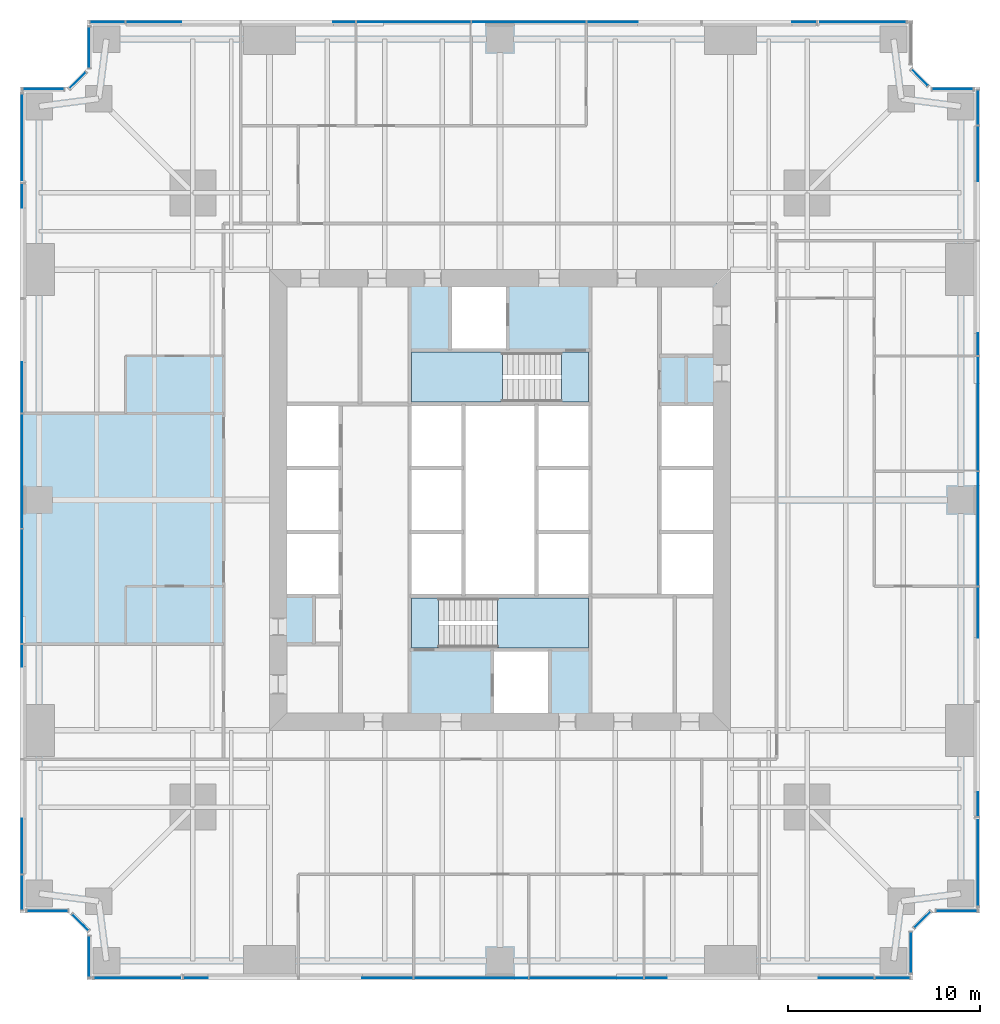
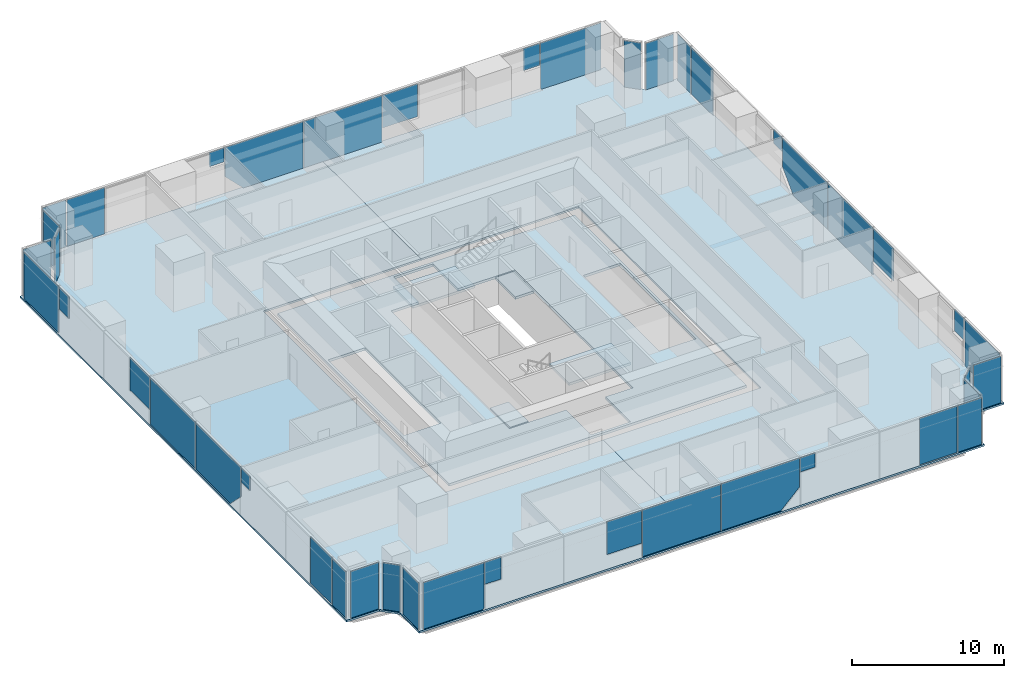
# One storey, part 8 of 16: 43 plates, 7 slabs, 17 elements without a shape of their own.
"""IFC4 building model written with IfcOpenShell, lengths in metres."""

from ifc_helpers import new_model, si_unit, direction, frame, origin, origin_2d, place, context, subcontext, project, spatial, polyline, rectangle, outline, extrude, material, layer, layer_set, type_object, element, aggregate, save


model = new_model("IFC4")

# Units and contexts
model_context = context("Model", 3, precision=1e-05, world=origin(), true_north=direction((0.0, 1.0)))
body_context = subcontext(model_context, "Body", "Model", "MODEL_VIEW")
ifc_project = project(units=[si_unit("LENGTHUNIT", "METRE"), si_unit("AREAUNIT", "SQUARE_METRE"), si_unit("VOLUMEUNIT", "CUBIC_METRE"), si_unit("PLANEANGLEUNIT", "RADIAN"), si_unit("MASSUNIT", "GRAM", prefix="KILO")], contexts=[model_context])

# Site, building, storey
site_placement = place(None, origin())
site = spatial("IfcSite", under=ifc_project, at=site_placement, CompositionType="ELEMENT")
building_placement = place(site_placement, origin())
building = spatial("IfcBuilding", under=site, at=building_placement, Name="Fenwick Lantern Interchange", CompositionType="ELEMENT")
storey_placement = place(building_placement, frame((0.0, 0.0, 75.0)))
storey = spatial("IfcBuildingStorey", under=building, at=storey_placement, Name="L17", CompositionType="ELEMENT", Elevation=75.0)

# Slabs
ifc_material_1 = material(Name="Concrete f'c 35 MPa", Category="concrete")
ifc_layer_1 = layer(ifc_material_1, 0.199951171875)
ifc_layer_set_1 = layer_set([ifc_layer_1], Name="CORE FLOOR SLAB 200")
slab_type_1 = type_object("IfcSlabType", Name="CORE FLOOR SLAB 200", PredefinedType="FLOOR", material=ifc_layer_set_1)
slab_1_placement = place(storey_placement, frame((0.0, 0.0, -0.199951171875)))
element("IfcSlab", 1, at=slab_1_placement, inside=storey, type_object=slab_type_1, Name="L17/SLAB/CORE", PredefinedType="FLOOR", context=body_context, shape_type="SweptSolid", body=[
    extrude(outline(polyline([(13.699951171875, 36.300048828125), (36.300048828125, 36.300048828125), (36.300048828125, 13.699951171875), (13.699951171875, 13.699951171875), (13.699951171875, 36.300048828125)]), holes=[polyline([(13.89990234375, 20.0), (16.699951171875, 20.0), (16.699951171875, 23.333251953125), (16.699951171875, 26.666748046875), (16.699951171875, 30.0), (13.89990234375, 30.0), (13.89990234375, 26.666748046875), (13.89990234375, 23.333251953125), (13.89990234375, 20.0)]), polyline([(20.300048828125, 20.0), (20.300048828125, 17.199951171875), (24.60009765625, 17.199951171875), (24.60009765625, 13.89990234375), (27.60009765625, 13.89990234375), (27.60009765625, 17.199951171875), (29.699951171875, 17.199951171875), (29.699951171875, 20.0), (29.699951171875, 23.333251953125), (29.699951171875, 26.666748046875), (29.699951171875, 30.0), (29.699951171875, 32.800048828125), (25.39990234375, 32.800048828125), (25.39990234375, 36.10009765625), (22.39990234375, 36.10009765625), (22.39990234375, 32.800048828125), (20.300048828125, 32.800048828125), (20.300048828125, 30.0), (20.300048828125, 26.666748046875), (20.300048828125, 23.333251953125), (20.300048828125, 20.0)]), polyline([(33.300048828125, 23.333251953125), (33.300048828125, 20.0), (36.10009765625, 20.0), (36.10009765625, 23.333251953125), (36.10009765625, 26.666748046875), (36.10009765625, 30.0), (33.300048828125, 30.0), (33.300048828125, 26.666748046875), (33.300048828125, 23.333251953125)])]), origin(), (0.0, 0.0, 1.0), 0.199951171875),
])
ifc_material_2 = material(Name="Concrete f'c 35 MPa", Category="concrete")
ifc_layer_2 = layer(ifc_material_2, 0.14990234375)
ifc_layer_set_2 = layer_set([ifc_layer_2], Name="Concrete f'c 35 MPa")
slab_type_2 = type_object("IfcSlabType", Name="FLOOR SLAB 150", PredefinedType="FLOOR", material=ifc_layer_set_2)
slab_2_placement = place(storey_placement, frame((0.0, 0.0, -0.14990234375)))
element("IfcSlab", 2, at=slab_2_placement, inside=storey, type_object=slab_type_2, Name="L17/SLAB/FW", PredefinedType="FLOOR", context=body_context, shape_type="SweptSolid", body=[
    extrude(outline(polyline([(3.5, 0.0), (3.5, 2.5), (2.5, 3.5), (0.0, 3.5), (0.0, 46.5), (2.5, 46.5), (3.5, 47.5), (3.5, 50.0), (25.0, 50.0), (25.0, 37.0), (13.0, 37.0), (13.0, 13.0), (25.0, 13.0), (25.0, 0.0), (3.5, 0.0)])), origin(), (0.0, 0.0, 1.0), 0.14990234375),
])
slab_3_placement = place(storey_placement, frame((0.0, 0.0, -0.14990234375)))
element("IfcSlab", 3, at=slab_3_placement, inside=storey, type_object=slab_type_2, Name="L17/SLAB/FE", PredefinedType="FLOOR", context=body_context, shape_type="SweptSolid", body=[
    extrude(outline(polyline([(46.5, 50.0), (46.5, 47.5), (47.5, 46.5), (50.0, 46.5), (50.0, 3.5), (47.5, 3.5), (46.5, 2.5), (46.5, 0.0), (25.0, 0.0), (25.0, 13.0), (37.0, 13.0), (37.0, 37.0), (25.0, 37.0), (25.0, 50.0), (46.5, 50.0)])), origin(), (0.0, 0.0, 1.0), 0.14990234375),
])

# Curtain wall, plates
ifc_material_3 = material(Name="Aluminium curtain wall frame", Category="aluminium")
curtain_wall_type = type_object("IfcCurtainWallType", Name="OFFICE CURTAIN WALL", PredefinedType="USERDEFINED", material=ifc_material_3)
curtain_wall_1_placement = place(storey_placement, origin())
curtain_wall_1 = element("IfcCurtainWall", 4, at=curtain_wall_1_placement, inside=storey, type_object=curtain_wall_type, Name="Office curtain wall 01", ObjectType="OFFICE CURTAIN WALL", PredefinedType="USERDEFINED")
ifc_material_4 = material(Name="Vision glass, clear low-iron double glazed", Category="glass")
ifc_layer_3 = layer(ifc_material_4, 0.031982421875)
ifc_layer_set_3 = layer_set([ifc_layer_3], Name="OFFICE CURTAIN WALL PANEL 32")
plate_type = type_object("IfcPlateType", Name="OFFICE CURTAIN WALL PANEL 32", PredefinedType="CURTAIN_PANEL", material=ifc_layer_set_3)
plate_1_placement = place(storey_placement, frame((3.60009765625, 0.10009765625, 0.0), z_axis=(0.0, 0.0, 1.0), x_axis=(1.0, 0.0, 0.0)))
plate_1 = element("IfcPlate", 5, at=plate_1_placement, type_object=plate_type, Name="L17/CW/01/P00a", PredefinedType="CURTAIN_PANEL", context=body_context, shape_type="SweptSolid", body=[
    extrude(outline(polyline([(0.264892578125, 0.0), (4.7900390625, 0.0), (4.867431640625, 0.109375), (4.867431640625, 3.75), (0.264892578125, 3.75), (0.264892578125, 0.0)])), frame((0.0, 0.01611328125, 0.0), z_axis=(0.0, -1.0, 0.0), x_axis=(1.0, 0.0, 0.0)), (0.0, 0.0, 1.0), 0.031982421875),
])
plate_2_placement = place(storey_placement, frame((3.60009765625, 0.10009765625, 1.972900390625), z_axis=(0.0, 0.0, 1.0), x_axis=(1.0, 0.0, 0.0)))
plate_2 = element("IfcPlate", 6, at=plate_2_placement, type_object=plate_type, Name="L17/CW/01/P01a", PredefinedType="CURTAIN_PANEL", context=body_context, shape_type="SweptSolid", body=[
    extrude(outline(polyline([(4.9326171875, 0.0), (6.1875, 0.0), (6.1875, 1.777099609375), (4.9326171875, 1.777099609375), (4.9326171875, 0.0)])), frame((0.0, 0.01611328125, 0.0), z_axis=(0.0, -1.0, 0.0), x_axis=(1.0, 0.0, 0.0)), (0.0, 0.0, 1.0), 0.031982421875),
])
plate_3_placement = place(storey_placement, frame((3.60009765625, 0.10009765625, 1.11279296875), z_axis=(0.0, 0.0, 1.0), x_axis=(1.0, 0.0, 0.0)))
plate_3 = element("IfcPlate", 7, at=plate_3_placement, type_object=plate_type, Name="L17/CW/01/P02a", PredefinedType="CURTAIN_PANEL", context=body_context, shape_type="SweptSolid", body=[
    extrude(outline(polyline([(14.226806640625, 0.0), (16.867431640625, 0.0), (16.867431640625, 2.63720703125), (14.226806640625, 2.63720703125), (14.226806640625, 0.0)])), frame((0.0, 0.01611328125, 0.0), z_axis=(0.0, -1.0, 0.0), x_axis=(1.0, 0.0, 0.0)), (0.0, 0.0, 1.0), 0.031982421875),
])
plate_4_placement = place(storey_placement, frame((23.5, 0.10009765625, 0.0), z_axis=(0.0, 0.0, 1.0), x_axis=(1.0, 0.0, 0.0)))
plate_4 = element("IfcPlate", 8, at=plate_4_placement, type_object=plate_type, Name="L17/CW/01/P03", PredefinedType="CURTAIN_PANEL", context=body_context, shape_type="SweptSolid", body=[
    extrude(rectangle(XDim=5.93505859375, YDim=0.031982421875, at=origin_2d()), origin(), (0.0, 0.0, 1.0), 3.75),
])
plate_5_placement = place(storey_placement, frame((3.60009765625, 0.10009765625, 0.0), z_axis=(0.0, 0.0, 1.0), x_axis=(1.0, 0.0, 0.0)))
plate_5 = element("IfcPlate", 9, at=plate_5_placement, type_object=plate_type, Name="L17/CW/01/P04a", PredefinedType="CURTAIN_PANEL", context=body_context, shape_type="SweptSolid", body=[
    extrude(outline(polyline([(22.9326171875, 0.0), (27.46044921875, 0.0), (28.867431640625, 1.406982421875), (28.867431640625, 3.75), (22.9326171875, 3.75), (22.9326171875, 0.0)])), frame((0.0, 0.01611328125, 0.0), z_axis=(0.0, -1.0, 0.0), x_axis=(1.0, 0.0, 0.0)), (0.0, 0.0, 1.0), 0.031982421875),
])
plate_6_placement = place(storey_placement, frame((3.60009765625, 0.10009765625, 2.612060546875), z_axis=(0.0, 0.0, 1.0), x_axis=(1.0, 0.0, 0.0)))
plate_6 = element("IfcPlate", 10, at=plate_6_placement, type_object=plate_type, Name="L17/CW/01/P05a", PredefinedType="CURTAIN_PANEL", context=body_context, shape_type="SweptSolid", body=[
    extrude(outline(polyline([(28.9326171875, 0.0), (30.072509765625, 0.0), (30.072509765625, 1.137939453125), (28.9326171875, 1.137939453125), (28.9326171875, 0.0)])), frame((0.0, 0.01611328125, 0.0), z_axis=(0.0, -1.0, 0.0), x_axis=(1.0, 0.0, 0.0)), (0.0, 0.0, 1.0), 0.031982421875),
])
plate_7_placement = place(storey_placement, frame((3.60009765625, 0.10009765625, 0.006103515625), z_axis=(0.0, 0.0, 1.0), x_axis=(1.0, 0.0, 0.0)))
plate_7 = element("IfcPlate", 11, at=plate_7_placement, type_object=plate_type, Name="L17/CW/01/P06a", PredefinedType="CURTAIN_PANEL", context=body_context, shape_type="SweptSolid", body=[
    extrude(outline(polyline([(38.005615234375, 0.0), (40.867431640625, 0.0), (40.867431640625, 3.743896484375), (38.005615234375, 3.743896484375), (38.005615234375, 0.0)])), frame((0.0, 0.01611328125, 0.0), z_axis=(0.0, -1.0, 0.0), x_axis=(1.0, 0.0, 0.0)), (0.0, 0.0, 1.0), 0.031982421875),
])
plate_8_placement = place(storey_placement, frame((45.433837890625, 0.10009765625, 0.0), z_axis=(0.0, 0.0, 1.0), x_axis=(1.0, 0.0, 0.0)))
plate_8 = element("IfcPlate", 12, at=plate_8_placement, type_object=plate_type, Name="L17/CW/01/P07", PredefinedType="CURTAIN_PANEL", context=body_context, shape_type="SweptSolid", body=[
    extrude(rectangle(XDim=1.802490234375, YDim=0.031982421875, at=origin_2d()), origin(), (0.0, 0.0, 1.0), 3.75),
])
aggregate(curtain_wall_1, [plate_1, plate_2, plate_3, plate_4, plate_5, plate_6, plate_7, plate_8])

# Curtain wall, plate
curtain_wall_2_placement = place(storey_placement, origin())
curtain_wall_2 = element("IfcCurtainWall", 13, at=curtain_wall_2_placement, inside=storey, type_object=curtain_wall_type, Name="Office curtain wall 02", ObjectType="OFFICE CURTAIN WALL", PredefinedType="USERDEFINED")
plate_9_placement = place(storey_placement, frame((46.39990234375, 1.420654296875, 0.0), z_axis=(0.0, 0.0, 1.0), x_axis=(0.0, 1.0, 0.0)))
plate_9 = element("IfcPlate", 14, at=plate_9_placement, type_object=plate_type, Name="L17/CW/02/P00", PredefinedType="CURTAIN_PANEL", context=body_context, shape_type="SweptSolid", body=[
    extrude(rectangle(XDim=2.111328125, YDim=0.031982421875, at=origin_2d()), origin(), (0.0, 0.0, 1.0), 3.75),
])
aggregate(curtain_wall_2, [plate_9])

curtain_wall_3_placement = place(storey_placement, origin())
curtain_wall_3 = element("IfcCurtainWall", 15, at=curtain_wall_3_placement, inside=storey, type_object=curtain_wall_type, Name="Office curtain wall 03", ObjectType="OFFICE CURTAIN WALL", PredefinedType="USERDEFINED")
plate_10_placement = place(storey_placement, frame((47.0, 3.141357421875, 0.0), z_axis=(0.0, 0.0, 1.0), x_axis=(0.707106781187, 0.707106781187, 0.0)))
plate_10 = element("IfcPlate", 16, at=plate_10_placement, type_object=plate_type, Name="L17/CW/03/P00", PredefinedType="CURTAIN_PANEL", context=body_context, shape_type="SweptSolid", body=[
    extrude(rectangle(XDim=1.1669921875, YDim=0.031982421875, at=origin_2d()), origin(), (0.0, 0.0, 1.0), 3.75),
])
aggregate(curtain_wall_3, [plate_10])

curtain_wall_4_placement = place(storey_placement, origin())
curtain_wall_4 = element("IfcCurtainWall", 17, at=curtain_wall_4_placement, inside=storey, type_object=curtain_wall_type, Name="Office curtain wall 04", ObjectType="OFFICE CURTAIN WALL", PredefinedType="USERDEFINED")
plate_11_placement = place(storey_placement, frame((48.779296875, 3.60009765625, 0.0), z_axis=(0.0, 0.0, 1.0), x_axis=(1.0, 0.0, 0.0)))
plate_11 = element("IfcPlate", 18, at=plate_11_placement, type_object=plate_type, Name="L17/CW/04/P00", PredefinedType="CURTAIN_PANEL", context=body_context, shape_type="SweptSolid", body=[
    extrude(rectangle(XDim=2.111328125, YDim=0.031982421875, at=origin_2d()), origin(), (0.0, 0.0, 1.0), 3.75),
])
aggregate(curtain_wall_4, [plate_11])

# Curtain wall, plates
curtain_wall_5_placement = place(storey_placement, origin())
curtain_wall_5 = element("IfcCurtainWall", 19, at=curtain_wall_5_placement, inside=storey, type_object=curtain_wall_type, Name="Office curtain wall 05", ObjectType="OFFICE CURTAIN WALL", PredefinedType="USERDEFINED")
plate_12_placement = place(storey_placement, frame((49.89990234375, 3.60009765625, 0.0), z_axis=(0.0, 0.0, 1.0), x_axis=(0.0, 1.0, 0.0)))
plate_12 = element("IfcPlate", 20, at=plate_12_placement, type_object=plate_type, Name="L17/CW/05/P00a", PredefinedType="CURTAIN_PANEL", context=body_context, shape_type="SweptSolid", body=[
    extrude(outline(polyline([(0.264892578125, 0.0), (4.7900390625, 0.0), (4.867431640625, 0.109375), (4.867431640625, 3.75), (0.264892578125, 3.75), (0.264892578125, 0.0)])), frame((0.0, 0.01611328125, 0.0), z_axis=(0.0, -1.0, 0.0), x_axis=(1.0, 0.0, 0.0)), (0.0, 0.0, 1.0), 0.031982421875),
])
plate_13_placement = place(storey_placement, frame((49.89990234375, 3.60009765625, 1.972900390625), z_axis=(0.0, 0.0, 1.0), x_axis=(0.0, 1.0, 0.0)))
plate_13 = element("IfcPlate", 21, at=plate_13_placement, type_object=plate_type, Name="L17/CW/05/P01a", PredefinedType="CURTAIN_PANEL", context=body_context, shape_type="SweptSolid", body=[
    extrude(outline(polyline([(4.9326171875, 0.0), (6.1875, 0.0), (6.1875, 1.777099609375), (4.9326171875, 1.777099609375), (4.9326171875, 0.0)])), frame((0.0, 0.01611328125, 0.0), z_axis=(0.0, -1.0, 0.0), x_axis=(1.0, 0.0, 0.0)), (0.0, 0.0, 1.0), 0.031982421875),
])
plate_14_placement = place(storey_placement, frame((49.89990234375, 3.60009765625, 1.11279296875), z_axis=(0.0, 0.0, 1.0), x_axis=(0.0, 1.0, 0.0)))
plate_14 = element("IfcPlate", 22, at=plate_14_placement, type_object=plate_type, Name="L17/CW/05/P02a", PredefinedType="CURTAIN_PANEL", context=body_context, shape_type="SweptSolid", body=[
    extrude(outline(polyline([(14.226806640625, 0.0), (16.867431640625, 0.0), (16.867431640625, 2.63720703125), (14.226806640625, 2.63720703125), (14.226806640625, 0.0)])), frame((0.0, 0.01611328125, 0.0), z_axis=(0.0, -1.0, 0.0), x_axis=(1.0, 0.0, 0.0)), (0.0, 0.0, 1.0), 0.031982421875),
])
plate_15_placement = place(storey_placement, frame((49.89990234375, 23.5, 0.0), z_axis=(0.0, 0.0, 1.0), x_axis=(0.0, 1.0, 0.0)))
plate_15 = element("IfcPlate", 23, at=plate_15_placement, type_object=plate_type, Name="L17/CW/05/P03", PredefinedType="CURTAIN_PANEL", context=body_context, shape_type="SweptSolid", body=[
    extrude(rectangle(XDim=5.93505859375, YDim=0.031982421875, at=origin_2d()), origin(), (0.0, 0.0, 1.0), 3.75),
])
plate_16_placement = place(storey_placement, frame((49.89990234375, 3.60009765625, 0.0), z_axis=(0.0, 0.0, 1.0), x_axis=(0.0, 1.0, 0.0)))
plate_16 = element("IfcPlate", 24, at=plate_16_placement, type_object=plate_type, Name="L17/CW/05/P04a", PredefinedType="CURTAIN_PANEL", context=body_context, shape_type="SweptSolid", body=[
    extrude(outline(polyline([(22.9326171875, 0.0), (27.46044921875, 0.0), (28.867431640625, 1.406982421875), (28.867431640625, 3.75), (22.9326171875, 3.75), (22.9326171875, 0.0)])), frame((0.0, 0.01611328125, 0.0), z_axis=(0.0, -1.0, 0.0), x_axis=(1.0, 0.0, 0.0)), (0.0, 0.0, 1.0), 0.031982421875),
])
plate_17_placement = place(storey_placement, frame((49.89990234375, 3.60009765625, 2.612060546875), z_axis=(0.0, 0.0, 1.0), x_axis=(0.0, 1.0, 0.0)))
plate_17 = element("IfcPlate", 25, at=plate_17_placement, type_object=plate_type, Name="L17/CW/05/P05a", PredefinedType="CURTAIN_PANEL", context=body_context, shape_type="SweptSolid", body=[
    extrude(outline(polyline([(28.9326171875, 0.0), (30.072509765625, 0.0), (30.072509765625, 1.137939453125), (28.9326171875, 1.137939453125), (28.9326171875, 0.0)])), frame((0.0, 0.01611328125, 0.0), z_axis=(0.0, -1.0, 0.0), x_axis=(1.0, 0.0, 0.0)), (0.0, 0.0, 1.0), 0.031982421875),
])
plate_18_placement = place(storey_placement, frame((49.89990234375, 3.60009765625, 0.006103515625), z_axis=(0.0, 0.0, 1.0), x_axis=(0.0, 1.0, 0.0)))
plate_18 = element("IfcPlate", 26, at=plate_18_placement, type_object=plate_type, Name="L17/CW/05/P06a", PredefinedType="CURTAIN_PANEL", context=body_context, shape_type="SweptSolid", body=[
    extrude(outline(polyline([(38.005615234375, 0.0), (40.867431640625, 0.0), (40.867431640625, 3.743896484375), (38.005615234375, 3.743896484375), (38.005615234375, 0.0)])), frame((0.0, 0.01611328125, 0.0), z_axis=(0.0, -1.0, 0.0), x_axis=(1.0, 0.0, 0.0)), (0.0, 0.0, 1.0), 0.031982421875),
])
plate_19_placement = place(storey_placement, frame((49.89990234375, 45.433837890625, 0.0), z_axis=(0.0, 0.0, 1.0), x_axis=(0.0, 1.0, 0.0)))
plate_19 = element("IfcPlate", 27, at=plate_19_placement, type_object=plate_type, Name="L17/CW/05/P07", PredefinedType="CURTAIN_PANEL", context=body_context, shape_type="SweptSolid", body=[
    extrude(rectangle(XDim=1.802490234375, YDim=0.031982421875, at=origin_2d()), origin(), (0.0, 0.0, 1.0), 3.75),
])
aggregate(curtain_wall_5, [plate_12, plate_13, plate_14, plate_15, plate_16, plate_17, plate_18, plate_19])

# Curtain wall, plate
curtain_wall_6_placement = place(storey_placement, origin())
curtain_wall_6 = element("IfcCurtainWall", 28, at=curtain_wall_6_placement, inside=storey, type_object=curtain_wall_type, Name="Office curtain wall 06", ObjectType="OFFICE CURTAIN WALL", PredefinedType="USERDEFINED")
plate_20_placement = place(storey_placement, frame((48.579345703125, 46.39990234375, 0.0), z_axis=(0.0, 0.0, 1.0), x_axis=(-1.0, 0.0, 0.0)))
plate_20 = element("IfcPlate", 29, at=plate_20_placement, type_object=plate_type, Name="L17/CW/06/P00", PredefinedType="CURTAIN_PANEL", context=body_context, shape_type="SweptSolid", body=[
    extrude(rectangle(XDim=2.111328125, YDim=0.031982421875, at=origin_2d()), origin(), (0.0, 0.0, 1.0), 3.75),
])
aggregate(curtain_wall_6, [plate_20])

curtain_wall_7_placement = place(storey_placement, origin())
curtain_wall_7 = element("IfcCurtainWall", 30, at=curtain_wall_7_placement, inside=storey, type_object=curtain_wall_type, Name="Office curtain wall 07", ObjectType="OFFICE CURTAIN WALL", PredefinedType="USERDEFINED")
plate_21_placement = place(storey_placement, frame((46.858642578125, 47.0, 0.0), z_axis=(0.0, 0.0, 1.0), x_axis=(-0.707106781187, 0.707106781187, 0.0)))
plate_21 = element("IfcPlate", 31, at=plate_21_placement, type_object=plate_type, Name="L17/CW/07/P00", PredefinedType="CURTAIN_PANEL", context=body_context, shape_type="SweptSolid", body=[
    extrude(rectangle(XDim=1.1669921875, YDim=0.031982421875, at=origin_2d()), origin(), (0.0, 0.0, 1.0), 3.75),
])
aggregate(curtain_wall_7, [plate_21])

# Curtain wall, plates
curtain_wall_8_placement = place(storey_placement, origin())
curtain_wall_8 = element("IfcCurtainWall", 32, at=curtain_wall_8_placement, inside=storey, type_object=curtain_wall_type, Name="Office curtain wall 09", ObjectType="OFFICE CURTAIN WALL", PredefinedType="USERDEFINED")
plate_22_placement = place(storey_placement, frame((46.39990234375, 49.89990234375, 0.0), z_axis=(0.0, 0.0, 1.0), x_axis=(-1.0, 0.0, 0.0)))
plate_22 = element("IfcPlate", 33, at=plate_22_placement, type_object=plate_type, Name="L17/CW/09/P00a", PredefinedType="CURTAIN_PANEL", context=body_context, shape_type="SweptSolid", body=[
    extrude(outline(polyline([(0.264892578125, 0.0), (4.7900390625, 0.0), (4.867431640625, 0.109375), (4.867431640625, 3.75), (0.264892578125, 3.75), (0.264892578125, 0.0)])), frame((0.0, 0.01611328125, 0.0), z_axis=(0.0, -1.0, 0.0), x_axis=(1.0, 0.0, 0.0)), (0.0, 0.0, 1.0), 0.031982421875),
])
plate_23_placement = place(storey_placement, frame((46.39990234375, 49.89990234375, 1.972900390625), z_axis=(0.0, 0.0, 1.0), x_axis=(-1.0, 0.0, 0.0)))
plate_23 = element("IfcPlate", 34, at=plate_23_placement, type_object=plate_type, Name="L17/CW/09/P01a", PredefinedType="CURTAIN_PANEL", context=body_context, shape_type="SweptSolid", body=[
    extrude(outline(polyline([(4.9326171875, 0.0), (6.1875, 0.0), (6.1875, 1.777099609375), (4.9326171875, 1.777099609375), (4.9326171875, 0.0)])), frame((0.0, 0.01611328125, 0.0), z_axis=(0.0, -1.0, 0.0), x_axis=(1.0, 0.0, 0.0)), (0.0, 0.0, 1.0), 0.031982421875),
])
plate_24_placement = place(storey_placement, frame((46.39990234375, 49.89990234375, 1.11279296875), z_axis=(0.0, 0.0, 1.0), x_axis=(-1.0, 0.0, 0.0)))
plate_24 = element("IfcPlate", 35, at=plate_24_placement, type_object=plate_type, Name="L17/CW/09/P02a", PredefinedType="CURTAIN_PANEL", context=body_context, shape_type="SweptSolid", body=[
    extrude(outline(polyline([(14.226806640625, 0.0), (16.867431640625, 0.0), (16.867431640625, 2.63720703125), (14.226806640625, 2.63720703125), (14.226806640625, 0.0)])), frame((0.0, 0.01611328125, 0.0), z_axis=(0.0, -1.0, 0.0), x_axis=(1.0, 0.0, 0.0)), (0.0, 0.0, 1.0), 0.031982421875),
])
plate_25_placement = place(storey_placement, frame((26.5, 49.89990234375, 0.0), z_axis=(0.0, 0.0, 1.0), x_axis=(-1.0, 0.0, 0.0)))
plate_25 = element("IfcPlate", 36, at=plate_25_placement, type_object=plate_type, Name="L17/CW/09/P03", PredefinedType="CURTAIN_PANEL", context=body_context, shape_type="SweptSolid", body=[
    extrude(rectangle(XDim=5.93505859375, YDim=0.031982421875, at=origin_2d()), origin(), (0.0, 0.0, 1.0), 3.75),
])
plate_26_placement = place(storey_placement, frame((46.39990234375, 49.89990234375, 0.0), z_axis=(0.0, 0.0, 1.0), x_axis=(-1.0, 0.0, 0.0)))
plate_26 = element("IfcPlate", 37, at=plate_26_placement, type_object=plate_type, Name="L17/CW/09/P04a", PredefinedType="CURTAIN_PANEL", context=body_context, shape_type="SweptSolid", body=[
    extrude(outline(polyline([(22.9326171875, 0.0), (27.46044921875, 0.0), (28.867431640625, 1.406982421875), (28.867431640625, 3.75), (22.9326171875, 3.75), (22.9326171875, 0.0)])), frame((0.0, 0.01611328125, 0.0), z_axis=(0.0, -1.0, 0.0), x_axis=(1.0, 0.0, 0.0)), (0.0, 0.0, 1.0), 0.031982421875),
])
plate_27_placement = place(storey_placement, frame((46.39990234375, 49.89990234375, 2.612060546875), z_axis=(0.0, 0.0, 1.0), x_axis=(-1.0, 0.0, 0.0)))
plate_27 = element("IfcPlate", 38, at=plate_27_placement, type_object=plate_type, Name="L17/CW/09/P05a", PredefinedType="CURTAIN_PANEL", context=body_context, shape_type="SweptSolid", body=[
    extrude(outline(polyline([(28.9326171875, 0.0), (30.072509765625, 0.0), (30.072509765625, 1.137939453125), (28.9326171875, 1.137939453125), (28.9326171875, 0.0)])), frame((0.0, 0.01611328125, 0.0), z_axis=(0.0, -1.0, 0.0), x_axis=(1.0, 0.0, 0.0)), (0.0, 0.0, 1.0), 0.031982421875),
])
plate_28_placement = place(storey_placement, frame((46.39990234375, 49.89990234375, 0.006103515625), z_axis=(0.0, 0.0, 1.0), x_axis=(-1.0, 0.0, 0.0)))
plate_28 = element("IfcPlate", 39, at=plate_28_placement, type_object=plate_type, Name="L17/CW/09/P06a", PredefinedType="CURTAIN_PANEL", context=body_context, shape_type="SweptSolid", body=[
    extrude(outline(polyline([(38.005615234375, 0.0), (40.867431640625, 0.0), (40.867431640625, 3.743896484375), (38.005615234375, 3.743896484375), (38.005615234375, 0.0)])), frame((0.0, 0.01611328125, 0.0), z_axis=(0.0, -1.0, 0.0), x_axis=(1.0, 0.0, 0.0)), (0.0, 0.0, 1.0), 0.031982421875),
])
plate_29_placement = place(storey_placement, frame((4.566162109375, 49.89990234375, 0.0), z_axis=(0.0, 0.0, 1.0), x_axis=(-1.0, 0.0, 0.0)))
plate_29 = element("IfcPlate", 40, at=plate_29_placement, type_object=plate_type, Name="L17/CW/09/P07", PredefinedType="CURTAIN_PANEL", context=body_context, shape_type="SweptSolid", body=[
    extrude(rectangle(XDim=1.802490234375, YDim=0.031982421875, at=origin_2d()), origin(), (0.0, 0.0, 1.0), 3.75),
])
aggregate(curtain_wall_8, [plate_22, plate_23, plate_24, plate_25, plate_26, plate_27, plate_28, plate_29])

# Curtain wall, plate
curtain_wall_9_placement = place(storey_placement, origin())
curtain_wall_9 = element("IfcCurtainWall", 41, at=curtain_wall_9_placement, inside=storey, type_object=curtain_wall_type, Name="Office curtain wall 10", ObjectType="OFFICE CURTAIN WALL", PredefinedType="USERDEFINED")
plate_30_placement = place(storey_placement, frame((3.60009765625, 48.579345703125, 0.0), z_axis=(0.0, 0.0, 1.0), x_axis=(0.0, -1.0, 0.0)))
plate_30 = element("IfcPlate", 42, at=plate_30_placement, type_object=plate_type, Name="L17/CW/10/P00", PredefinedType="CURTAIN_PANEL", context=body_context, shape_type="SweptSolid", body=[
    extrude(rectangle(XDim=2.111328125, YDim=0.031982421875, at=origin_2d()), origin(), (0.0, 0.0, 1.0), 3.75),
])
aggregate(curtain_wall_9, [plate_30])

curtain_wall_10_placement = place(storey_placement, origin())
curtain_wall_10 = element("IfcCurtainWall", 43, at=curtain_wall_10_placement, inside=storey, type_object=curtain_wall_type, Name="Office curtain wall 11", ObjectType="OFFICE CURTAIN WALL", PredefinedType="USERDEFINED")
plate_31_placement = place(storey_placement, frame((3.0, 46.858642578125, 0.0), z_axis=(0.0, 0.0, 1.0), x_axis=(-0.707106781187, -0.707106781187, 0.0)))
plate_31 = element("IfcPlate", 44, at=plate_31_placement, type_object=plate_type, Name="L17/CW/11/P00", PredefinedType="CURTAIN_PANEL", context=body_context, shape_type="SweptSolid", body=[
    extrude(rectangle(XDim=1.1669921875, YDim=0.031982421875, at=origin_2d()), origin(), (0.0, 0.0, 1.0), 3.75),
])
aggregate(curtain_wall_10, [plate_31])

curtain_wall_11_placement = place(storey_placement, origin())
curtain_wall_11 = element("IfcCurtainWall", 45, at=curtain_wall_11_placement, inside=storey, type_object=curtain_wall_type, Name="Office curtain wall 12", ObjectType="OFFICE CURTAIN WALL", PredefinedType="USERDEFINED")
plate_32_placement = place(storey_placement, frame((1.220703125, 46.39990234375, 0.0), z_axis=(0.0, 0.0, 1.0), x_axis=(-1.0, 0.0, 0.0)))
plate_32 = element("IfcPlate", 46, at=plate_32_placement, type_object=plate_type, Name="L17/CW/12/P00", PredefinedType="CURTAIN_PANEL", context=body_context, shape_type="SweptSolid", body=[
    extrude(rectangle(XDim=2.111328125, YDim=0.031982421875, at=origin_2d()), origin(), (0.0, 0.0, 1.0), 3.75),
])
aggregate(curtain_wall_11, [plate_32])

# Curtain wall, plates
curtain_wall_12_placement = place(storey_placement, origin())
curtain_wall_12 = element("IfcCurtainWall", 47, at=curtain_wall_12_placement, inside=storey, type_object=curtain_wall_type, Name="Office curtain wall 13", ObjectType="OFFICE CURTAIN WALL", PredefinedType="USERDEFINED")
plate_33_placement = place(storey_placement, frame((0.10009765625, 46.39990234375, 0.0), z_axis=(0.0, 0.0, 1.0), x_axis=(0.0, -1.0, 0.0)))
plate_33 = element("IfcPlate", 48, at=plate_33_placement, type_object=plate_type, Name="L17/CW/13/P00a", PredefinedType="CURTAIN_PANEL", context=body_context, shape_type="SweptSolid", body=[
    extrude(outline(polyline([(0.264892578125, 0.0), (4.7900390625, 0.0), (4.867431640625, 0.109375), (4.867431640625, 3.75), (0.264892578125, 3.75), (0.264892578125, 0.0)])), frame((0.0, 0.01611328125, 0.0), z_axis=(0.0, -1.0, 0.0), x_axis=(1.0, 0.0, 0.0)), (0.0, 0.0, 1.0), 0.031982421875),
])
plate_34_placement = place(storey_placement, frame((0.10009765625, 46.39990234375, 1.972900390625), z_axis=(0.0, 0.0, 1.0), x_axis=(0.0, -1.0, 0.0)))
plate_34 = element("IfcPlate", 49, at=plate_34_placement, type_object=plate_type, Name="L17/CW/13/P01a", PredefinedType="CURTAIN_PANEL", context=body_context, shape_type="SweptSolid", body=[
    extrude(outline(polyline([(4.9326171875, 0.0), (6.1875, 0.0), (6.1875, 1.777099609375), (4.9326171875, 1.777099609375), (4.9326171875, 0.0)])), frame((0.0, 0.01611328125, 0.0), z_axis=(0.0, -1.0, 0.0), x_axis=(1.0, 0.0, 0.0)), (0.0, 0.0, 1.0), 0.031982421875),
])
plate_35_placement = place(storey_placement, frame((0.10009765625, 46.39990234375, 1.11279296875), z_axis=(0.0, 0.0, 1.0), x_axis=(0.0, -1.0, 0.0)))
plate_35 = element("IfcPlate", 50, at=plate_35_placement, type_object=plate_type, Name="L17/CW/13/P02a", PredefinedType="CURTAIN_PANEL", context=body_context, shape_type="SweptSolid", body=[
    extrude(outline(polyline([(14.226806640625, 0.0), (16.867431640625, 0.0), (16.867431640625, 2.63720703125), (14.226806640625, 2.63720703125), (14.226806640625, 0.0)])), frame((0.0, 0.01611328125, 0.0), z_axis=(0.0, -1.0, 0.0), x_axis=(1.0, 0.0, 0.0)), (0.0, 0.0, 1.0), 0.031982421875),
])
plate_36_placement = place(storey_placement, frame((0.10009765625, 26.5, 0.0), z_axis=(0.0, 0.0, 1.0), x_axis=(0.0, -1.0, 0.0)))
plate_36 = element("IfcPlate", 51, at=plate_36_placement, type_object=plate_type, Name="L17/CW/13/P03", PredefinedType="CURTAIN_PANEL", context=body_context, shape_type="SweptSolid", body=[
    extrude(rectangle(XDim=5.93505859375, YDim=0.031982421875, at=origin_2d()), origin(), (0.0, 0.0, 1.0), 3.75),
])
plate_37_placement = place(storey_placement, frame((0.10009765625, 46.39990234375, 0.0), z_axis=(0.0, 0.0, 1.0), x_axis=(0.0, -1.0, 0.0)))
plate_37 = element("IfcPlate", 52, at=plate_37_placement, type_object=plate_type, Name="L17/CW/13/P04a", PredefinedType="CURTAIN_PANEL", context=body_context, shape_type="SweptSolid", body=[
    extrude(outline(polyline([(22.9326171875, 0.0), (27.46044921875, 0.0), (28.867431640625, 1.406982421875), (28.867431640625, 3.75), (22.9326171875, 3.75), (22.9326171875, 0.0)])), frame((0.0, 0.01611328125, 0.0), z_axis=(0.0, -1.0, 0.0), x_axis=(1.0, 0.0, 0.0)), (0.0, 0.0, 1.0), 0.031982421875),
])
plate_38_placement = place(storey_placement, frame((0.10009765625, 46.39990234375, 2.612060546875), z_axis=(0.0, 0.0, 1.0), x_axis=(0.0, -1.0, 0.0)))
plate_38 = element("IfcPlate", 53, at=plate_38_placement, type_object=plate_type, Name="L17/CW/13/P05a", PredefinedType="CURTAIN_PANEL", context=body_context, shape_type="SweptSolid", body=[
    extrude(outline(polyline([(28.9326171875, 0.0), (30.072509765625, 0.0), (30.072509765625, 1.137939453125), (28.9326171875, 1.137939453125), (28.9326171875, 0.0)])), frame((0.0, 0.01611328125, 0.0), z_axis=(0.0, -1.0, 0.0), x_axis=(1.0, 0.0, 0.0)), (0.0, 0.0, 1.0), 0.031982421875),
])
plate_39_placement = place(storey_placement, frame((0.10009765625, 46.39990234375, 0.006103515625), z_axis=(0.0, 0.0, 1.0), x_axis=(0.0, -1.0, 0.0)))
plate_39 = element("IfcPlate", 54, at=plate_39_placement, type_object=plate_type, Name="L17/CW/13/P06a", PredefinedType="CURTAIN_PANEL", context=body_context, shape_type="SweptSolid", body=[
    extrude(outline(polyline([(38.005615234375, 0.0), (40.867431640625, 0.0), (40.867431640625, 3.743896484375), (38.005615234375, 3.743896484375), (38.005615234375, 0.0)])), frame((0.0, 0.01611328125, 0.0), z_axis=(0.0, -1.0, 0.0), x_axis=(1.0, 0.0, 0.0)), (0.0, 0.0, 1.0), 0.031982421875),
])
plate_40_placement = place(storey_placement, frame((0.10009765625, 4.566162109375, 0.0), z_axis=(0.0, 0.0, 1.0), x_axis=(0.0, -1.0, 0.0)))
plate_40 = element("IfcPlate", 55, at=plate_40_placement, type_object=plate_type, Name="L17/CW/13/P07", PredefinedType="CURTAIN_PANEL", context=body_context, shape_type="SweptSolid", body=[
    extrude(rectangle(XDim=1.802490234375, YDim=0.031982421875, at=origin_2d()), origin(), (0.0, 0.0, 1.0), 3.75),
])
aggregate(curtain_wall_12, [plate_33, plate_34, plate_35, plate_36, plate_37, plate_38, plate_39, plate_40])

# Curtain wall, plate
curtain_wall_13_placement = place(storey_placement, origin())
curtain_wall_13 = element("IfcCurtainWall", 56, at=curtain_wall_13_placement, inside=storey, type_object=curtain_wall_type, Name="Office curtain wall 14", ObjectType="OFFICE CURTAIN WALL", PredefinedType="USERDEFINED")
plate_41_placement = place(storey_placement, frame((1.420654296875, 3.60009765625, 0.0), z_axis=(0.0, 0.0, 1.0), x_axis=(1.0, 0.0, 0.0)))
plate_41 = element("IfcPlate", 57, at=plate_41_placement, type_object=plate_type, Name="L17/CW/14/P00", PredefinedType="CURTAIN_PANEL", context=body_context, shape_type="SweptSolid", body=[
    extrude(rectangle(XDim=2.111328125, YDim=0.031982421875, at=origin_2d()), origin(), (0.0, 0.0, 1.0), 3.75),
])
aggregate(curtain_wall_13, [plate_41])

curtain_wall_14_placement = place(storey_placement, origin())
curtain_wall_14 = element("IfcCurtainWall", 58, at=curtain_wall_14_placement, inside=storey, type_object=curtain_wall_type, Name="Office curtain wall 15", ObjectType="OFFICE CURTAIN WALL", PredefinedType="USERDEFINED")
plate_42_placement = place(storey_placement, frame((3.141357421875, 3.0, 0.0), z_axis=(0.0, 0.0, 1.0), x_axis=(0.707106781187, -0.707106781187, 0.0)))
plate_42 = element("IfcPlate", 59, at=plate_42_placement, type_object=plate_type, Name="L17/CW/15/P00", PredefinedType="CURTAIN_PANEL", context=body_context, shape_type="SweptSolid", body=[
    extrude(rectangle(XDim=1.1669921875, YDim=0.031982421875, at=origin_2d()), origin(), (0.0, 0.0, 1.0), 3.75),
])
aggregate(curtain_wall_14, [plate_42])

curtain_wall_15_placement = place(storey_placement, origin())
curtain_wall_15 = element("IfcCurtainWall", 60, at=curtain_wall_15_placement, inside=storey, type_object=curtain_wall_type, Name="Office curtain wall 16", ObjectType="OFFICE CURTAIN WALL", PredefinedType="USERDEFINED")
plate_43_placement = place(storey_placement, frame((3.60009765625, 1.220703125, 0.0), z_axis=(0.0, 0.0, 1.0), x_axis=(0.0, -1.0, 0.0)))
plate_43 = element("IfcPlate", 61, at=plate_43_placement, type_object=plate_type, Name="L17/CW/16/P00", PredefinedType="CURTAIN_PANEL", context=body_context, shape_type="SweptSolid", body=[
    extrude(rectangle(XDim=2.111328125, YDim=0.031982421875, at=origin_2d()), origin(), (0.0, 0.0, 1.0), 3.75),
])
aggregate(curtain_wall_15, [plate_43])

# Stair, slabs
ifc_material_5 = material(Name="Precast concrete f'c 35 MPa", Category="concrete")
stair_type = type_object("IfcStairType", Name="EXIT STAIR 1200", PredefinedType="HALF_TURN_STAIR", material=ifc_material_5)
stair_1_placement = place(storey_placement, origin())
stair_1 = element("IfcStair", 62, at=stair_1_placement, inside=storey, type_object=stair_type, Name="Exit stair ST1", PredefinedType="HALF_TURN_STAIR")
ifc_layer_4 = layer(ifc_material_1, 0.199951171875)
ifc_layer_set_4 = layer_set([ifc_layer_4], Name="STAIR LANDING 200")
slab_type_3 = type_object("IfcSlabType", Name="STAIR LANDING 200", PredefinedType="LANDING", material=ifc_layer_set_4)
slab_4_placement = place(storey_placement, frame((0.0, 0.0, 1.800048828125)))
slab_4 = element("IfcSlab", 63, at=slab_4_placement, type_object=slab_type_3, Name="ST1 landing 1", PredefinedType="LANDING", context=body_context, shape_type="SweptSolid", body=[
    extrude(outline(polyline([(24.8798828125, 17.300048828125), (29.60009765625, 17.300048828125), (29.60009765625, 19.89990234375), (24.8798828125, 19.89990234375), (24.8798828125, 17.300048828125)])), origin(), (0.0, 0.0, 1.0), 0.199951171875),
])
slab_5_placement = place(storey_placement, frame((0.0, 0.0, -0.199951171875)))
slab_5 = element("IfcSlab", 64, at=slab_5_placement, type_object=slab_type_3, Name="ST1 landing 2", PredefinedType="LANDING", context=body_context, shape_type="SweptSolid", body=[
    extrude(outline(polyline([(20.39990234375, 17.300048828125), (21.800048828125, 17.300048828125), (21.800048828125, 19.89990234375), (20.39990234375, 19.89990234375), (20.39990234375, 17.300048828125)])), origin(), (0.0, 0.0, 1.0), 0.199951171875),
])
aggregate(stair_1, [slab_4, slab_5])

stair_2_placement = place(storey_placement, origin())
stair_2 = element("IfcStair", 65, at=stair_2_placement, inside=storey, type_object=stair_type, Name="Exit stair ST2", PredefinedType="HALF_TURN_STAIR")
slab_6_placement = place(storey_placement, frame((0.0, 0.0, 1.800048828125)))
slab_6 = element("IfcSlab", 66, at=slab_6_placement, type_object=slab_type_3, Name="ST2 landing 1", PredefinedType="LANDING", context=body_context, shape_type="SweptSolid", body=[
    extrude(outline(polyline([(25.1201171875, 32.699951171875), (20.39990234375, 32.699951171875), (20.39990234375, 30.10009765625), (25.1201171875, 30.10009765625), (25.1201171875, 32.699951171875)])), origin(), (0.0, 0.0, 1.0), 0.199951171875),
])
slab_7_placement = place(storey_placement, frame((0.0, 0.0, -0.199951171875)))
slab_7 = element("IfcSlab", 67, at=slab_7_placement, type_object=slab_type_3, Name="ST2 landing 2", PredefinedType="LANDING", context=body_context, shape_type="SweptSolid", body=[
    extrude(outline(polyline([(29.60009765625, 32.699951171875), (28.199951171875, 32.699951171875), (28.199951171875, 30.10009765625), (29.60009765625, 30.10009765625), (29.60009765625, 32.699951171875)])), origin(), (0.0, 0.0, 1.0), 0.199951171875),
])
aggregate(stair_2, [slab_6, slab_7])

save(model, "model.ifc")
